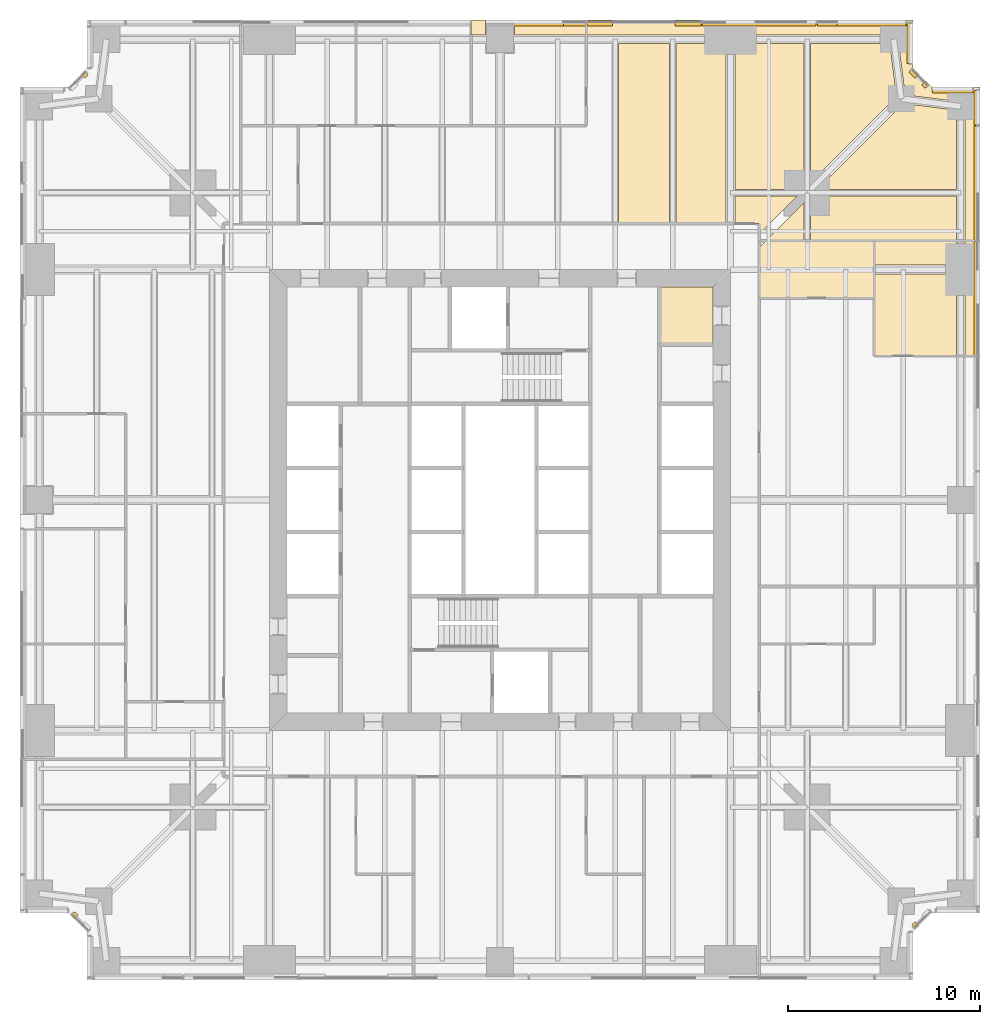
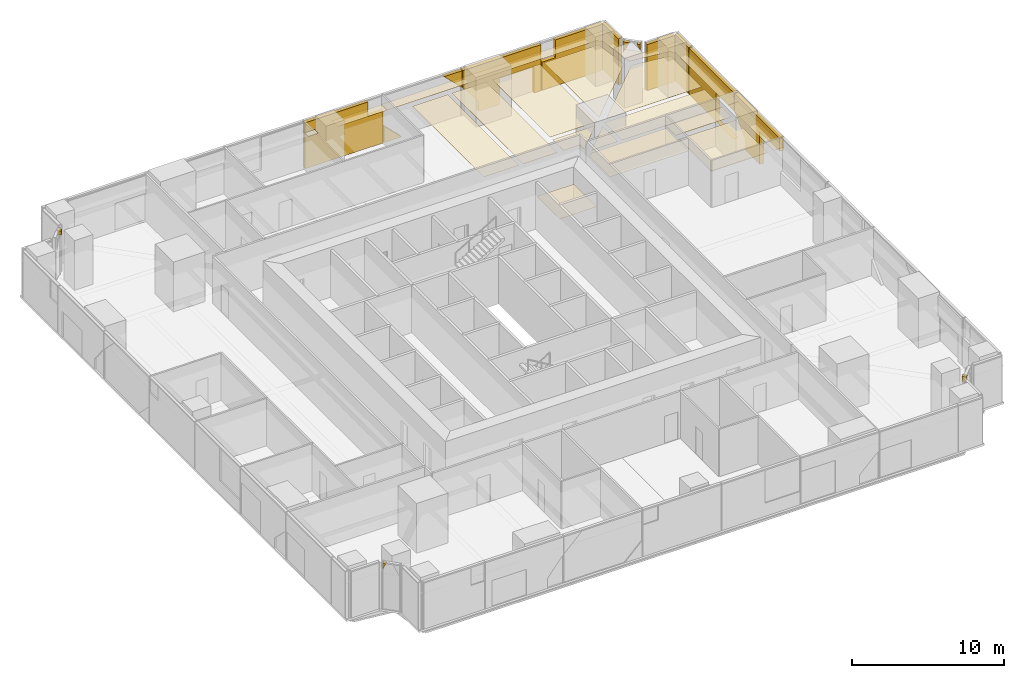
# One storey, part 14 of 14: 31 coverings.
"""IFC4 building model written with IfcOpenShell, lengths in metres."""

from ifc_helpers import new_model, si_unit, direction, frame, origin, place, context, subcontext, project, spatial, polyline, outline, extrude, material, layer, layer_set, type_object, element, save


model = new_model("IFC4")

# Units and contexts
model_context = context("Model", 3, precision=1e-05, world=origin(), true_north=direction((0.0, 1.0)))
body_context = subcontext(model_context, "Body", "Model", "MODEL_VIEW")
ifc_project = project(units=[si_unit("LENGTHUNIT", "METRE"), si_unit("AREAUNIT", "SQUARE_METRE"), si_unit("VOLUMEUNIT", "CUBIC_METRE"), si_unit("PLANEANGLEUNIT", "RADIAN"), si_unit("MASSUNIT", "GRAM", prefix="KILO")], contexts=[model_context])

# Site, building, storey
site_placement = place(None, origin())
site = spatial("IfcSite", under=ifc_project, at=site_placement, CompositionType="ELEMENT")
building_placement = place(site_placement, origin())
building = spatial("IfcBuilding", under=site, at=building_placement, Name="Fenwick Lantern Interchange", CompositionType="ELEMENT")
storey_placement = place(building_placement, frame((0.0, 0.0, 87.0)))
storey = spatial("IfcBuildingStorey", under=building, at=storey_placement, Name="L20", CompositionType="ELEMENT", Elevation=87.0)

# Coverings
ifc_material_1 = material(Name="Mineral fibre acoustic tile on suspended grid")
ifc_layer_1 = layer(ifc_material_1, 0.02001953125)
ifc_layer_set_1 = layer_set([ifc_layer_1], Name="ACOUSTIC TILE CEILING 20")
covering_type_1 = type_object("IfcCoveringType", Name="ACOUSTIC TILE CEILING 20", PredefinedType="CEILING", material=ifc_layer_set_1)
covering_1_placement = place(storey_placement, frame((0.0, 0.0, 2.88427734375)))
element("IfcCovering", 1, at=covering_1_placement, inside=storey, type_object=covering_type_1, Name="Meeting room ceiling", PredefinedType="CEILING", context=body_context, shape_type="SweptSolid", body=[
    extrude(outline(polyline([(44.5, 32.5), (48.775634765625, 32.5), (48.775634765625, 36.767822265625), (44.5, 36.767822265625), (44.5, 32.5)])), origin(), (0.0, 0.0, 1.0), 0.02001953125),
])
covering_2_placement = place(storey_placement, frame((0.0, 0.0, 2.88427734375)))
element("IfcCovering", 2, at=covering_2_placement, inside=storey, type_object=covering_type_1, Name="Meeting room ceiling", PredefinedType="CEILING", context=body_context, shape_type="SweptSolid", body=[
    extrude(outline(polyline([(44.5, 38.5), (44.5, 37.232177734375), (48.775634765625, 37.232177734375), (48.775634765625, 38.5), (44.5, 38.5)])), origin(), (0.0, 0.0, 1.0), 0.02001953125),
])
covering_3_placement = place(storey_placement, frame((0.0, 0.0, 2.88427734375)))
element("IfcCovering", 3, at=covering_3_placement, inside=storey, type_object=covering_type_1, Name="Meeting room ceiling", PredefinedType="CEILING", context=body_context, shape_type="SweptSolid", body=[
    extrude(outline(polyline([(50.0, 38.5), (49.224365234375, 38.5), (49.224365234375, 37.0), (49.224365234375, 32.5), (50.0, 32.5), (50.0, 38.5)])), origin(), (0.0, 0.0, 1.0), 0.02001953125),
])
covering_4_placement = place(storey_placement, frame((0.0, 0.0, 2.89990234375)))
element("IfcCovering", 4, at=covering_4_placement, inside=storey, type_object=covering_type_1, Name="Office suite ceiling", PredefinedType="CEILING", context=body_context, shape_type="SweptSolid", body=[
    extrude(outline(polyline([(37.232177734375, 48.775634765625), (37.232177734375, 41.166015625), (40.82177734375, 41.166015625), (40.827880859375, 41.172119140625), (40.833984375, 41.17822265625), (40.833984375, 48.775634765625), (37.232177734375, 48.775634765625)])), origin(), (0.0, 0.0, 1.0), 0.02001953125),
])
covering_5_placement = place(storey_placement, frame((0.0, 0.0, 2.89990234375)))
element("IfcCovering", 5, at=covering_5_placement, inside=storey, type_object=covering_type_1, Name="Office suite ceiling", PredefinedType="CEILING", context=body_context, shape_type="SweptSolid", body=[
    extrude(outline(polyline([(31.166015625, 39.39990234375), (33.833984375, 39.39990234375), (33.833984375, 48.775634765625), (31.166015625, 48.775634765625), (31.166015625, 39.39990234375)])), origin(), (0.0, 0.0, 1.0), 0.02001953125),
])
covering_6_placement = place(storey_placement, frame((0.0, 0.0, 2.89990234375)))
element("IfcCovering", 6, at=covering_6_placement, inside=storey, type_object=covering_type_1, Name="Office suite ceiling", PredefinedType="CEILING", context=body_context, shape_type="SweptSolid", body=[
    extrude(outline(polyline([(34.166015625, 39.39990234375), (36.767822265625, 39.39990234375), (36.767822265625, 48.775634765625), (34.166015625, 48.775634765625), (34.166015625, 39.39990234375)])), origin(), (0.0, 0.0, 1.0), 0.02001953125),
])
covering_7_placement = place(storey_placement, frame((0.0, 0.0, 2.89990234375)))
element("IfcCovering", 7, at=covering_7_placement, inside=storey, type_object=covering_type_1, Name="Office suite ceiling", PredefinedType="CEILING", context=body_context, shape_type="SweptSolid", body=[
    extrude(outline(polyline([(46.5, 50.0), (29.5, 50.0), (29.5, 49.224365234375), (37.0, 49.224365234375), (45.5, 49.224365234375), (45.5, 49.0), (45.72265625, 49.02880859375), (46.1005859375, 46.1005859375), (49.02880859375, 45.72265625), (49.0, 45.5), (49.224365234375, 45.5), (49.224365234375, 38.5), (50.0, 38.5), (50.0, 46.5), (47.5, 46.5), (46.5, 47.5), (46.5, 50.0)])), origin(), (0.0, 0.0, 1.0), 0.02001953125),
])
covering_8_placement = place(storey_placement, frame((0.0, 0.0, 2.89990234375)))
element("IfcCovering", 8, at=covering_8_placement, inside=storey, type_object=covering_type_1, Name="Office suite ceiling", PredefinedType="CEILING", context=body_context, shape_type="SweptSolid", body=[
    extrude(outline(polyline([(45.66015625, 46.004638671875), (45.302734375, 48.775634765625), (41.166015625, 48.775634765625), (41.166015625, 41.510498046875), (45.66015625, 46.004638671875)])), origin(), (0.0, 0.0, 1.0), 0.02001953125),
])
covering_9_placement = place(storey_placement, frame((0.0, 0.0, 2.89990234375)))
element("IfcCovering", 9, at=covering_9_placement, inside=storey, type_object=covering_type_1, Name="Office suite ceiling", PredefinedType="CEILING", context=body_context, shape_type="SweptSolid", body=[
    extrude(outline(polyline([(48.775634765625, 41.166015625), (48.775634765625, 45.302734375), (46.004638671875, 45.66015625), (41.510498046875, 41.166015625), (48.775634765625, 41.166015625)])), origin(), (0.0, 0.0, 1.0), 0.02001953125),
])
covering_10_placement = place(storey_placement, frame((0.0, 0.0, 2.89990234375)))
element("IfcCovering", 10, at=covering_10_placement, inside=storey, type_object=covering_type_1, Name="Office suite ceiling", PredefinedType="CEILING", context=body_context, shape_type="SweptSolid", body=[
    extrude(outline(polyline([(41.166015625, 38.5), (48.775634765625, 38.5), (48.775634765625, 40.833984375), (41.17822265625, 40.833984375), (41.172119140625, 40.827880859375), (41.166015625, 40.82177734375), (41.166015625, 38.5)])), origin(), (0.0, 0.0, 1.0), 0.02001953125),
])
covering_11_placement = place(storey_placement, frame((0.0, 0.0, 2.89990234375)))
element("IfcCovering", 11, at=covering_11_placement, inside=storey, type_object=covering_type_1, Name="Office suite ceiling", PredefinedType="CEILING", context=body_context, shape_type="SweptSolid", body=[
    extrude(outline(polyline([(38.5, 39.39990234375), (38.5, 38.844482421875), (40.489501953125, 40.833984375), (37.232177734375, 40.833984375), (37.232177734375, 39.39990234375), (38.5, 39.39990234375)])), origin(), (0.0, 0.0, 1.0), 0.02001953125),
])
covering_12_placement = place(storey_placement, frame((0.0, 0.0, 2.89990234375)))
element("IfcCovering", 12, at=covering_12_placement, inside=storey, type_object=covering_type_1, Name="Office suite ceiling", PredefinedType="CEILING", context=body_context, shape_type="SweptSolid", body=[
    extrude(outline(polyline([(38.844482421875, 38.5), (40.833984375, 38.5), (40.833984375, 40.489501953125), (38.844482421875, 38.5)])), origin(), (0.0, 0.0, 1.0), 0.02001953125),
])
covering_13_placement = place(storey_placement, frame((0.0, 0.0, 2.88427734375)))
element("IfcCovering", 13, at=covering_13_placement, inside=storey, type_object=covering_type_1, Name="Office ceiling", PredefinedType="CEILING", context=body_context, shape_type="SweptSolid", body=[
    extrude(outline(polyline([(29.5, 49.224365234375), (29.5, 50.0), (25.75, 50.0), (25.75, 49.224365234375), (29.5, 49.224365234375)])), origin(), (0.0, 0.0, 1.0), 0.02001953125),
])
covering_14_placement = place(storey_placement, frame((0.0, 0.0, 2.88427734375)))
element("IfcCovering", 14, at=covering_14_placement, inside=storey, type_object=covering_type_1, Name="Office ceiling", PredefinedType="CEILING", context=body_context, shape_type="SweptSolid", body=[
    extrude(outline(polyline([(23.5, 50.0), (23.5, 49.224365234375), (24.25, 49.224365234375), (24.25, 50.0), (23.5, 50.0)])), origin(), (0.0, 0.0, 1.0), 0.02001953125),
])
ifc_material_2 = material(Name="Granite cladding, warm grey flamed finish, on aluminium carrier frame", Category="masonry")
ifc_layer_2 = layer(ifc_material_2, 0.300048828125)
ifc_layer_set_2 = layer_set([ifc_layer_2], Name="BRACE CASING PANEL 300")
covering_type_2 = type_object("IfcCoveringType", Name="BRACE CASING PANEL 300", PredefinedType="CLADDING", material=ifc_layer_set_2)
covering_15_placement = place(storey_placement, frame((46.39990234375, 2.54150390625, 3.22802734375), z_axis=(0.0, 0.0, 1.0), x_axis=(0.707106781187, 0.707106781187, 0.0)))
element("IfcCovering", 15, at=covering_15_placement, inside=storey, type_object=covering_type_2, Name="Brace casing 03 bay 00a", PredefinedType="CLADDING", context=body_context, shape_type="SweptSolid", body=[
    extrude(outline(polyline([(0.264892578125, 0.0), (0.503662109375, 0.471923828125), (0.264892578125, 0.471923828125), (0.264892578125, 0.0)])), frame((0.0, 0.2001953125, 0.0), z_axis=(0.0, -1.0, 0.0), x_axis=(1.0, 0.0, 0.0)), (0.0, 0.0, 1.0), 0.300048828125),
])
covering_16_placement = place(storey_placement, frame((49.89990234375, 3.60009765625, 0.0), z_axis=(0.0, 0.0, 1.0), x_axis=(0.0, 1.0, 0.0)))
element("IfcCovering", 16, at=covering_16_placement, inside=storey, type_object=covering_type_2, Name="Brace casing 05 bay 05a", PredefinedType="CLADDING", context=body_context, shape_type="SweptSolid", body=[
    extrude(outline(polyline([(31.567626953125, 0.0), (33.39990234375, 0.0), (33.39990234375, 0.804443359375), (34.602294921875, 2.0068359375), (34.867431640625, 2.218994140625), (34.867431640625, 3.699951171875), (28.9326171875, 3.699951171875), (28.9326171875, 2.636962890625), (31.567626953125, 2.636962890625), (31.567626953125, 0.0)])), frame((0.0, 0.2001953125, 0.0), z_axis=(0.0, -1.0, 0.0), x_axis=(1.0, 0.0, 0.0)), (0.0, 0.0, 1.0), 0.300048828125),
])
covering_17_placement = place(storey_placement, frame((49.89990234375, 3.60009765625, 0.0), z_axis=(0.0, 0.0, 1.0), x_axis=(0.0, 1.0, 0.0)))
element("IfcCovering", 17, at=covering_17_placement, inside=storey, type_object=covering_type_2, Name="Brace casing 05 bay 06a", PredefinedType="CLADDING", context=body_context, shape_type="SweptSolid", body=[
    extrude(outline(polyline([(34.9326171875, 0.0), (40.867431640625, 0.0), (40.867431640625, 3.699951171875), (34.9326171875, 3.699951171875), (34.9326171875, 2.27099609375), (37.342529296875, 2.27099609375), (37.342529296875, 0.000732421875), (34.9326171875, 0.000732421875), (34.9326171875, 0.0)])), frame((0.0, 0.2001953125, 0.0), z_axis=(0.0, -1.0, 0.0), x_axis=(1.0, 0.0, 0.0)), (0.0, 0.0, 1.0), 0.300048828125),
])
covering_18_placement = place(storey_placement, frame((49.89990234375, 3.60009765625, 0.0), z_axis=(0.0, 0.0, 1.0), x_axis=(0.0, 1.0, 0.0)))
element("IfcCovering", 18, at=covering_18_placement, inside=storey, type_object=covering_type_2, Name="Brace casing 05 bay 07a", PredefinedType="CLADDING", context=body_context, shape_type="SweptSolid", body=[
    extrude(outline(polyline([(40.9326171875, 0.0), (42.735107421875, 0.0), (42.735107421875, 3.699951171875), (40.9326171875, 3.699951171875), (40.9326171875, 0.0)])), frame((0.0, 0.2001953125, 0.0), z_axis=(0.0, -1.0, 0.0), x_axis=(1.0, 0.0, 0.0)), (0.0, 0.0, 1.0), 0.300048828125),
])
covering_19_placement = place(storey_placement, frame((49.89990234375, 46.39990234375, 0.0), z_axis=(0.0, 0.0, 1.0), x_axis=(-1.0, 0.0, 0.0)))
element("IfcCovering", 19, at=covering_19_placement, inside=storey, type_object=covering_type_2, Name="Brace casing 06 bay 00a", PredefinedType="CLADDING", context=body_context, shape_type="SweptSolid", body=[
    extrude(outline(polyline([(0.264892578125, 0.0), (2.37646484375, 0.0), (2.37646484375, 3.699951171875), (0.264892578125, 3.699951171875), (0.264892578125, 0.0)])), frame((0.0, 0.2001953125, 0.0), z_axis=(0.0, -1.0, 0.0), x_axis=(1.0, 0.0, 0.0)), (0.0, 0.0, 1.0), 0.300048828125),
])
covering_20_placement = place(storey_placement, frame((47.45849609375, 46.39990234375, 3.22802734375), z_axis=(0.0, 0.0, 1.0), x_axis=(-0.707106781187, 0.707106781187, 0.0)))
element("IfcCovering", 20, at=covering_20_placement, inside=storey, type_object=covering_type_2, Name="Brace casing 07 bay 00a", PredefinedType="CLADDING", context=body_context, shape_type="SweptSolid", body=[
    extrude(outline(polyline([(0.264892578125, 0.0), (0.503662109375, 0.471923828125), (0.264892578125, 0.471923828125), (0.264892578125, 0.0)])), frame((0.0, 0.2001953125, 0.0), z_axis=(0.0, -1.0, 0.0), x_axis=(1.0, 0.0, 0.0)), (0.0, 0.0, 1.0), 0.300048828125),
])
covering_21_placement = place(storey_placement, frame((47.45849609375, 46.39990234375, 2.832763671875), z_axis=(0.0, 0.0, 1.0), x_axis=(-0.707106781187, 0.707106781187, 0.0)))
element("IfcCovering", 21, at=covering_21_placement, inside=storey, type_object=covering_type_2, Name="Brace casing 07 bay 00b", PredefinedType="CLADDING", context=body_context, shape_type="SweptSolid", body=[
    extrude(outline(polyline([(1.43212890625, 0.0), (1.43212890625, 0.8671875), (0.993408203125, 0.8671875), (1.43212890625, 0.0)])), frame((0.0, 0.2001953125, 0.0), z_axis=(0.0, -1.0, 0.0), x_axis=(1.0, 0.0, 0.0)), (0.0, 0.0, 1.0), 0.300048828125),
])
covering_22_placement = place(storey_placement, frame((46.39990234375, 47.45849609375, 0.0), z_axis=(0.0, 0.0, 1.0), x_axis=(0.0, 1.0, 0.0)))
element("IfcCovering", 22, at=covering_22_placement, inside=storey, type_object=covering_type_2, Name="Brace casing 08 bay 00a", PredefinedType="CLADDING", context=body_context, shape_type="SweptSolid", body=[
    extrude(outline(polyline([(0.264892578125, 0.0), (2.37646484375, 0.0), (2.37646484375, 3.699951171875), (0.264892578125, 3.699951171875), (0.264892578125, 0.0)])), frame((0.0, 0.2001953125, 0.0), z_axis=(0.0, -1.0, 0.0), x_axis=(1.0, 0.0, 0.0)), (0.0, 0.0, 1.0), 0.300048828125),
])
covering_23_placement = place(storey_placement, frame((46.39990234375, 49.89990234375, 0.0), z_axis=(0.0, 0.0, 1.0), x_axis=(-1.0, 0.0, 0.0)))
element("IfcCovering", 23, at=covering_23_placement, inside=storey, type_object=covering_type_2, Name="Brace casing 09 bay 00a", PredefinedType="CLADDING", context=body_context, shape_type="SweptSolid", body=[
    extrude(outline(polyline([(0.264892578125, 0.0), (4.867431640625, 0.0), (4.867431640625, 2.259765625), (3.841796875, 2.259765625), (3.841796875, 3.699951171875), (0.264892578125, 3.699951171875), (0.264892578125, 0.0)])), frame((0.0, 0.2001953125, 0.0), z_axis=(0.0, -1.0, 0.0), x_axis=(1.0, 0.0, 0.0)), (0.0, 0.0, 1.0), 0.300048828125),
])
covering_24_placement = place(storey_placement, frame((46.39990234375, 49.89990234375, 0.0), z_axis=(0.0, 0.0, 1.0), x_axis=(-1.0, 0.0, 0.0)))
element("IfcCovering", 24, at=covering_24_placement, inside=storey, type_object=covering_type_2, Name="Brace casing 09 bay 01a", PredefinedType="CLADDING", context=body_context, shape_type="SweptSolid", body=[
    extrude(outline(polyline([(4.9326171875, 0.0), (5.46240234375, 0.0), (5.46240234375, 2.098876953125), (8.08251953125, 2.098876953125), (8.08251953125, 0.0), (9.68115234375, 0.0), (9.68115234375, 0.820068359375), (10.7431640625, 2.147705078125), (10.867431640625, 2.27197265625), (10.867431640625, 3.699951171875), (4.9326171875, 3.699951171875), (4.9326171875, 0.0)])), frame((0.0, 0.2001953125, 0.0), z_axis=(0.0, -1.0, 0.0), x_axis=(1.0, 0.0, 0.0)), (0.0, 0.0, 1.0), 0.300048828125),
])
covering_25_placement = place(storey_placement, frame((46.39990234375, 49.89990234375, 2.3369140625), z_axis=(0.0, 0.0, 1.0), x_axis=(-1.0, 0.0, 0.0)))
element("IfcCovering", 25, at=covering_25_placement, inside=storey, type_object=covering_type_2, Name="Brace casing 09 bay 02a", PredefinedType="CLADDING", context=body_context, shape_type="SweptSolid", body=[
    extrude(outline(polyline([(10.9326171875, 0.0), (12.295654296875, 1.363037109375), (10.9326171875, 1.363037109375), (10.9326171875, 0.0)])), frame((0.0, 0.2001953125, 0.0), z_axis=(0.0, -1.0, 0.0), x_axis=(1.0, 0.0, 0.0)), (0.0, 0.0, 1.0), 0.300048828125),
])
covering_26_placement = place(storey_placement, frame((46.39990234375, 49.89990234375, 0.0), z_axis=(0.0, 0.0, 1.0), x_axis=(-1.0, 0.0, 0.0)))
element("IfcCovering", 26, at=covering_26_placement, inside=storey, type_object=covering_type_2, Name="Brace casing 09 bay 02b", PredefinedType="CLADDING", context=body_context, shape_type="SweptSolid", body=[
    extrude(outline(polyline([(15.53125, 0.0), (16.867431640625, 0.0), (16.867431640625, 1.3232421875), (15.53125, 0.0)])), frame((0.0, 0.2001953125, 0.0), z_axis=(0.0, -1.0, 0.0), x_axis=(1.0, 0.0, 0.0)), (0.0, 0.0, 1.0), 0.300048828125),
])
covering_27_placement = place(storey_placement, frame((46.39990234375, 49.89990234375, 0.0), z_axis=(0.0, 0.0, 1.0), x_axis=(-1.0, 0.0, 0.0)))
element("IfcCovering", 27, at=covering_27_placement, inside=storey, type_object=covering_type_2, Name="Brace casing 09 bay 03a", PredefinedType="CLADDING", context=body_context, shape_type="SweptSolid", body=[
    extrude(outline(polyline([(16.9326171875, 0.0), (22.867431640625, 0.0), (22.867431640625, 3.699951171875), (18.097412109375, 3.699951171875), (18.097412109375, 2.54150390625), (16.9326171875, 2.54150390625), (16.9326171875, 0.0)])), frame((0.0, 0.2001953125, 0.0), z_axis=(0.0, -1.0, 0.0), x_axis=(1.0, 0.0, 0.0)), (0.0, 0.0, 1.0), 0.300048828125),
])
for number, where, z_axis, x_axis, name in (
    (28, (3.60009765625, 47.45849609375, 3.22802734375), (0.0, 0.0, 1.0), (-0.707106781187, -0.707106781187, 0.0), "Brace casing 11 bay 00a"),
    (29, (2.54150390625, 3.60009765625, 3.22802734375), (0.0, 0.0, 1.0), (0.707106781187, -0.707106781187, 0.0), "Brace casing 15 bay 00a"),
):
    element("IfcCovering", number, at=place(storey_placement, frame(where, z_axis=z_axis, x_axis=x_axis)), inside=storey, type_object=covering_type_2, Name=name, PredefinedType="CLADDING", context=body_context, shape_type="SweptSolid", body=[
        extrude(outline(polyline([(0.264892578125, 0.0), (0.503662109375, 0.471923828125), (0.264892578125, 0.471923828125), (0.264892578125, 0.0)])), frame((0.0, 0.2001953125, 0.0), z_axis=(0.0, -1.0, 0.0), x_axis=(1.0, 0.0, 0.0)), (0.0, 0.0, 1.0), 0.300048828125),
    ])
ifc_material_3 = material(Name="Moisture resistant gypsum board on suspended frame, painted")
ifc_layer_3 = layer(ifc_material_3, 0.014892578125)
ifc_layer_set_3 = layer_set([ifc_layer_3], Name="MOISTURE RESISTANT CEILING 15")
covering_type_3 = type_object("IfcCoveringType", Name="MOISTURE RESISTANT CEILING 15", PredefinedType="CEILING", material=ifc_layer_set_3)
covering_28_placement = place(storey_placement, frame((0.0, 0.0, 2.60009765625)))
element("IfcCovering", 30, at=covering_28_placement, inside=storey, type_object=covering_type_3, Name="Accessible WC ceiling", PredefinedType="CEILING", context=body_context, shape_type="SweptSolid", body=[
    extrude(outline(polyline([(36.10009765625, 36.10009765625), (33.300048828125, 36.10009765625), (33.300048828125, 33.10009765625), (36.10009765625, 33.10009765625), (36.10009765625, 36.10009765625)])), origin(), (0.0, 0.0, 1.0), 0.014892578125),
])
covering_29_placement = place(storey_placement, frame((0.0, 0.0, 2.699951171875)))
element("IfcCovering", 31, at=covering_29_placement, inside=storey, type_object=covering_type_3, Name="Pantry ceiling", PredefinedType="CEILING", context=body_context, shape_type="SweptSolid", body=[
    extrude(outline(polyline([(44.5, 38.5), (38.844482421875, 38.5), (38.5, 38.155517578125), (38.5, 35.5), (44.5, 35.5), (44.5, 38.5)])), origin(), (0.0, 0.0, 1.0), 0.01513671875),
])

save(model, "model.ifc")
